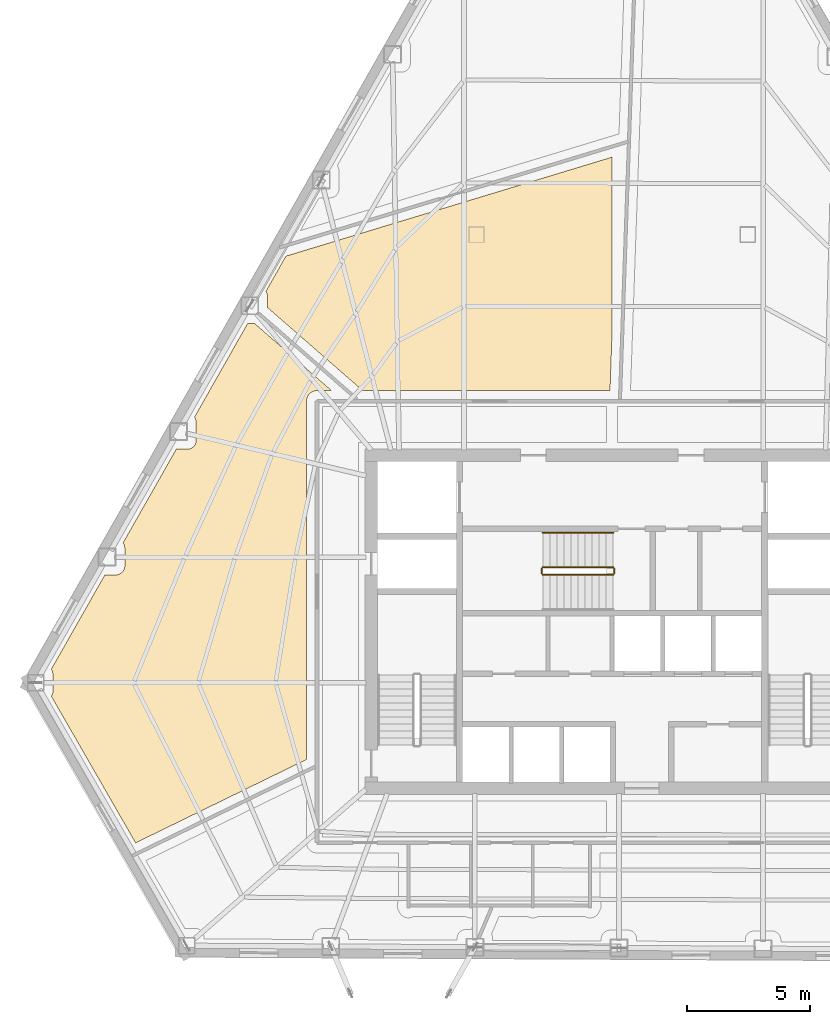
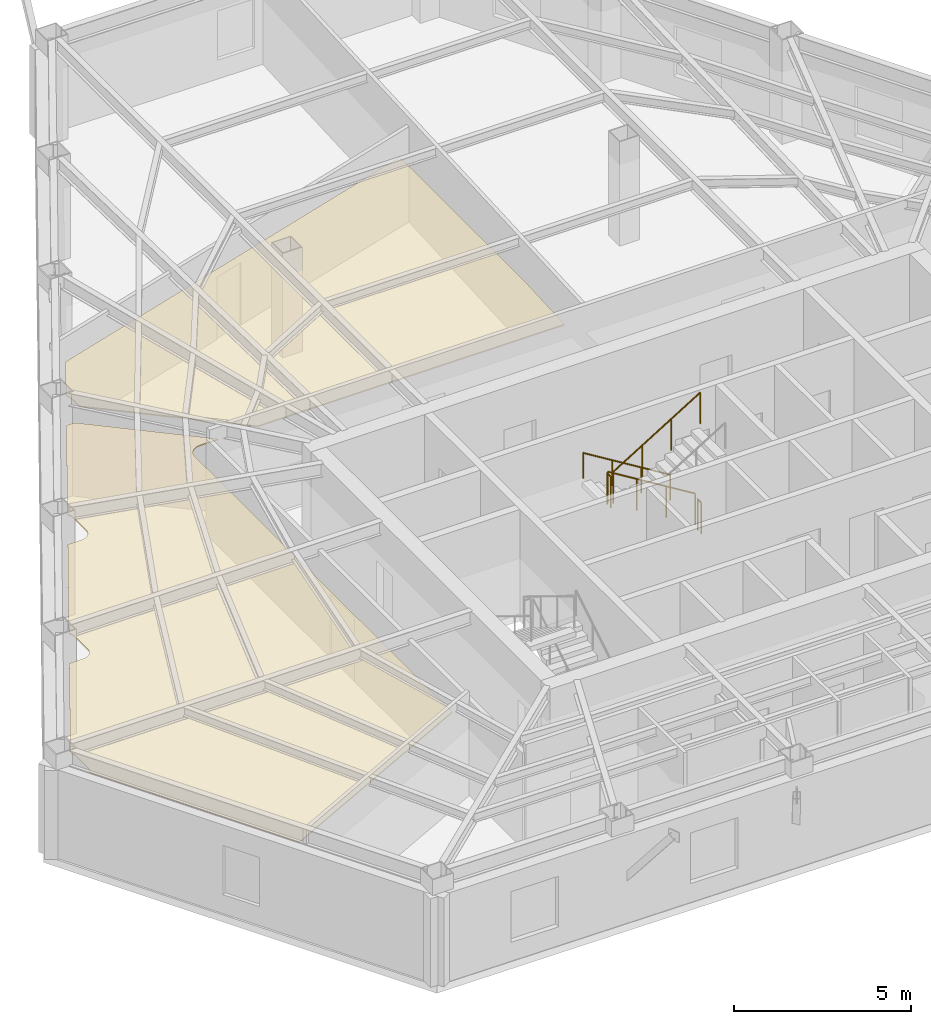
# One storey, part 12 of 13: 5 railings, 2 coverings.
"""IFC4 building model written with IfcOpenShell, lengths in metres."""

from ifc_helpers import new_model, si_unit, direction, frame, origin, origin_2d, place, context, subcontext, project, spatial, polyline, circle, outline, extrude, material, layer, layer_set, type_object, element, save


model = new_model("IFC4")

# Units and contexts
model_context = context("Model", 3, precision=1e-05, world=origin(), true_north=direction((0.0, 1.0)))
body_context = subcontext(model_context, "Body", "Model", "MODEL_VIEW")
ifc_project = project(units=[si_unit("LENGTHUNIT", "METRE"), si_unit("AREAUNIT", "SQUARE_METRE"), si_unit("VOLUMEUNIT", "CUBIC_METRE"), si_unit("PLANEANGLEUNIT", "RADIAN"), si_unit("MASSUNIT", "GRAM", prefix="KILO")], contexts=[model_context])

# Site, building, storey
site_placement = place(None, origin())
site = spatial("IfcSite", under=ifc_project, at=site_placement, CompositionType="ELEMENT")
building_placement = place(site_placement, origin())
building = spatial("IfcBuilding", under=site, at=building_placement, Name="Kavelnor Concourse Tower", CompositionType="ELEMENT")
storey_placement = place(building_placement, frame((0.0, 0.0, 108.60009765625)))
storey = spatial("IfcBuildingStorey", under=building, at=storey_placement, Name="L27", CompositionType="ELEMENT", Elevation=108.60009765625)

# Coverings
ifc_material_1 = material(Name="Mineral fibre acoustic ceiling tile")
ifc_layer = layer(ifc_material_1, 0.0400390625, Name="Mineral fibre acoustic ceiling tile")
ifc_layer_set = layer_set([ifc_layer], Name="Mineral fibre acoustic ceiling tile")
covering_type = type_object("IfcCoveringType", Name="COV-CEILING-ACOUSTIC", PredefinedType="CEILING", material=ifc_layer_set)
covering_1_placement = place(storey_placement, frame((0.0, 0.0, 2.75)))
element("IfcCovering", 1, at=covering_1_placement, inside=storey, type_object=covering_type, Name="L27 Suspended Acoustic Ceiling", PredefinedType="CEILING", context=body_context, shape_type="SweptSolid", body=[
    extrude(outline(polyline([(37.9951171875, 27.84814453125), (37.912109375, 25.472412109375), (27.8857421875, 25.472412109375), (24.027099609375, 28.838134765625), (24.027099609375, 29.28369140625), (24.02587890625, 29.310791015625), (24.020751953125, 29.345703125), (24.01220703125, 29.3798828125), (24.000244140625, 29.413330078125), (23.985107421875, 29.4453125), (23.966796875, 29.4755859375), (23.955810546875, 29.490478515625), (24.771240234375, 30.92626953125), (37.9951171875, 34.93994140625), (37.9951171875, 27.84814453125)])), origin(), (0.0, 0.0, 1.0), 0.039794921875),
])
covering_2_placement = place(storey_placement, frame((0.0, 0.0, 2.75)))
element("IfcCovering", 2, at=covering_2_placement, inside=storey, type_object=covering_type, Name="L27 Suspended Acoustic Ceiling", PredefinedType="CEILING", context=body_context, shape_type="SweptSolid", body=[
    extrude(outline(polyline([(17.43115234375, 18.002685546875), (17.88623046875, 18.002685546875), (17.913330078125, 18.00390625), (17.9482421875, 18.00927734375), (17.982666015625, 18.017822265625), (18.015869140625, 18.02978515625), (18.0478515625, 18.044921875), (18.078125, 18.06298828125), (18.106689453125, 18.083984375), (18.1328125, 18.10791015625), (18.156494140625, 18.134033203125), (18.177734375, 18.16259765625), (18.19580078125, 18.19287109375), (18.2109375, 18.224853515625), (18.222900390625, 18.258056640625), (18.2314453125, 18.29248046875), (18.23681640625, 18.327392578125), (18.238037109375, 18.3544921875), (18.238037109375, 19.091064453125), (18.23681640625, 19.117919921875), (18.2314453125, 19.153076171875), (18.222900390625, 19.187255859375), (18.2109375, 19.220703125), (18.19580078125, 19.252685546875), (18.177734375, 19.282958984375), (18.166748046875, 19.2978515625), (20.32568359375, 23.09912109375), (20.781005859375, 23.09912109375), (20.807861328125, 23.100341796875), (20.843017578125, 23.105712890625), (20.877197265625, 23.1142578125), (20.910400390625, 23.126220703125), (20.9423828125, 23.14111328125), (20.972900390625, 23.159423828125), (21.001220703125, 23.180419921875), (21.02734375, 23.204345703125), (21.05126953125, 23.23046875), (21.072265625, 23.2587890625), (21.090576171875, 23.289306640625), (21.105712890625, 23.3212890625), (21.117431640625, 23.3544921875), (21.126220703125, 23.388916015625), (21.13134765625, 23.423828125), (21.132568359375, 23.45068359375), (21.132568359375, 24.1875), (21.13134765625, 24.21435546875), (21.126220703125, 24.24951171875), (21.117431640625, 24.28369140625), (21.105712890625, 24.31689453125), (21.090576171875, 24.34912109375), (21.072265625, 24.37939453125), (21.061279296875, 24.394287109375), (23.22021484375, 28.1953125), (23.501220703125, 28.1953125), (26.623046875, 25.472412109375), (26.021728515625, 25.472412109375), (25.988525390625, 25.470947265625), (25.947509765625, 25.46484375), (25.9072265625, 25.45458984375), (25.8681640625, 25.440673828125), (25.83056640625, 25.423095703125), (25.794921875, 25.401611328125), (25.76171875, 25.376953125), (25.73095703125, 25.34912109375), (25.703125, 25.318359375), (25.678466796875, 25.284912109375), (25.656982421875, 25.24951171875), (25.639404296875, 25.2119140625), (25.625244140625, 25.1728515625), (25.615234375, 25.132568359375), (25.609130859375, 25.091552734375), (25.607421875, 25.058349609375), (25.607421875, 10.517578125), (18.6767578125, 7.13720703125), (15.259765625, 13.08154296875), (15.26318359375, 13.086181640625), (15.281494140625, 13.116455078125), (15.29638671875, 13.1484375), (15.308349609375, 13.181884765625), (15.31689453125, 13.216064453125), (15.322265625, 13.251220703125), (15.323486328125, 13.278076171875), (15.323486328125, 13.974609375), (15.322265625, 14.001708984375), (15.31689453125, 14.03662109375), (15.308349609375, 14.071044921875), (15.29638671875, 14.104248046875), (15.281494140625, 14.13623046875), (15.26318359375, 14.16650390625), (15.257080078125, 14.1748046875), (17.43115234375, 18.002685546875)])), origin(), (0.0, 0.0, 1.0), 0.039794921875),
])

# Railings
ifc_material_2 = material(Name="Steel Grade 350", Category="steel")
railing_type_1 = type_object("IfcRailingType", Name="RLG-GUARD-1100", PredefinedType="GUARDRAIL", material=ifc_material_2)
railing_1_placement = place(storey_placement, frame((38.0400390625, 18.31005859375, 0.1748046875)))
element("IfcRailing", 3, at=railing_1_placement, inside=storey, type_object=railing_type_1, Name="L27 ST3 stair guard 1", PredefinedType="GUARDRAIL", context=body_context, shape_type="SweptSolid", body=[
    extrude(circle(Radius=0.02392578125, at=origin_2d()), frame((0.0, 0.0, 1.076171875), z_axis=(-0.852179220489, 0.0, 0.52325001306), x_axis=(0.0, -1.0, 0.0)), (0.0, 0.0, 1.0), 3.344482421875),
    extrude(circle(Radius=0.02099609375, at=origin_2d()), origin(), (0.0, 0.0, 1.0), 1.052001953125),
    extrude(circle(Radius=0.02099609375, at=origin_2d()), frame((-0.949951171875, 0.0, 0.583251953125)), (0.0, 0.0, 1.0), 1.052001953125),
    extrude(circle(Radius=0.02099609375, at=origin_2d()), frame((-1.900146484375, 0.0, 1.166748046875)), (0.0, 0.0, 1.0), 1.052001953125),
    extrude(circle(Radius=0.02099609375, at=origin_2d()), frame((-2.85009765625, 0.0, 1.75)), (0.0, 0.0, 1.0), 1.052001953125),
])
railing_2_placement = place(storey_placement, frame((35.139892578125, 18.260009765625, 1.9248046875)))
element("IfcRailing", 4, at=railing_2_placement, inside=storey, type_object=railing_type_1, Name="L27 ST3 stair guard 2", PredefinedType="GUARDRAIL", context=body_context, shape_type="SweptSolid", body=[
    extrude(circle(Radius=0.02392578125, at=origin_2d()), frame((0.0, 0.0, 1.076171875), z_axis=(0.0, -1.0, 0.0), x_axis=(1.0, 0.0, 0.0)), (0.0, 0.0, 1.0), 0.199951171875),
    extrude(circle(Radius=0.02099609375, at=origin_2d()), origin(), (0.0, 0.0, 1.0), 1.052001953125),
    extrude(circle(Radius=0.02099609375, at=origin_2d()), frame((0.0, -0.199951171875, 0.0)), (0.0, 0.0, 1.0), 1.052001953125),
])
railing_3_placement = place(storey_placement, frame((35.18994140625, 18.010009765625, 2.099853515625)))
element("IfcRailing", 5, at=railing_3_placement, inside=storey, type_object=railing_type_1, Name="L27 ST3 stair guard 3", PredefinedType="GUARDRAIL", context=body_context, shape_type="SweptSolid", body=[
    extrude(circle(Radius=0.02392578125, at=origin_2d()), frame((0.0, 0.0, 1.076171875), z_axis=(0.852179220489, 0.0, 0.52325001306), x_axis=(0.0, 1.0, 0.0)), (0.0, 0.0, 1.0), 3.344482421875),
    extrude(circle(Radius=0.02099609375, at=origin_2d()), origin(), (0.0, 0.0, 1.0), 1.052001953125),
    extrude(circle(Radius=0.02099609375, at=origin_2d()), frame((0.949951171875, 0.0, 0.583251953125)), (0.0, 0.0, 1.0), 1.052001953125),
    extrude(circle(Radius=0.02099609375, at=origin_2d()), frame((1.900146484375, 0.0, 1.166748046875)), (0.0, 0.0, 1.0), 1.052001953125),
    extrude(circle(Radius=0.02099609375, at=origin_2d()), frame((2.85009765625, 0.0, 1.75)), (0.0, 0.0, 1.0), 1.052001953125),
])
railing_4_placement = place(storey_placement, frame((38.090087890625, 18.260009765625, 0.0)))
element("IfcRailing", 6, at=railing_4_placement, inside=storey, type_object=railing_type_1, Name="L27 ST3 stair guard 4", PredefinedType="GUARDRAIL", context=body_context, shape_type="SweptSolid", body=[
    extrude(circle(Radius=0.02392578125, at=origin_2d()), frame((0.0, 0.0, 1.076171875), z_axis=(0.0, -1.0, 0.0), x_axis=(1.0, 0.0, 0.0)), (0.0, 0.0, 1.0), 0.199951171875),
    extrude(circle(Radius=0.02099609375, at=origin_2d()), origin(), (0.0, 0.0, 1.0), 1.052001953125),
    extrude(circle(Radius=0.02099609375, at=origin_2d()), frame((0.0, -0.199951171875, 0.0)), (0.0, 0.0, 1.0), 1.052001953125),
])
railing_type_2 = type_object("IfcRailingType", Name="RLG-HANDRAIL-900", PredefinedType="HANDRAIL", material=ifc_material_2)
railing_5_placement = place(storey_placement, frame((38.0400390625, 19.7099609375, 0.1748046875)))
element("IfcRailing", 7, at=railing_5_placement, inside=storey, type_object=railing_type_2, Name="L27 ST3 stair handrail 1", PredefinedType="HANDRAIL", context=body_context, shape_type="SweptSolid", body=[
    extrude(circle(Radius=0.02392578125, at=origin_2d()), frame((0.0, 0.0, 0.8759765625), z_axis=(-0.852179220489, 0.0, 0.52325001306), x_axis=(0.0, -1.0, 0.0)), (0.0, 0.0, 1.0), 3.344482421875),
    extrude(circle(Radius=0.02099609375, at=origin_2d()), origin(), (0.0, 0.0, 1.0), 0.851806640625),
    extrude(circle(Radius=0.02099609375, at=origin_2d()), frame((-0.949951171875, 0.0, 0.583251953125)), (0.0, 0.0, 1.0), 0.851806640625),
    extrude(circle(Radius=0.02099609375, at=origin_2d()), frame((-1.900146484375, 0.0, 1.166748046875)), (0.0, 0.0, 1.0), 0.851806640625),
    extrude(circle(Radius=0.02099609375, at=origin_2d()), frame((-2.85009765625, 0.0, 1.75)), (0.0, 0.0, 1.0), 0.851806640625),
])

save(model, "model.ifc")
